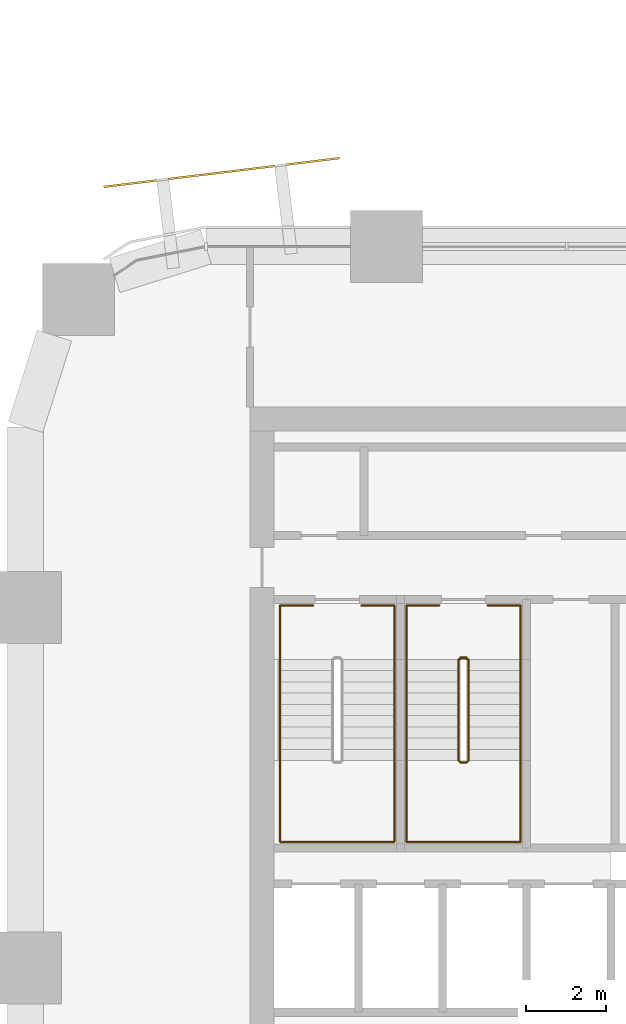
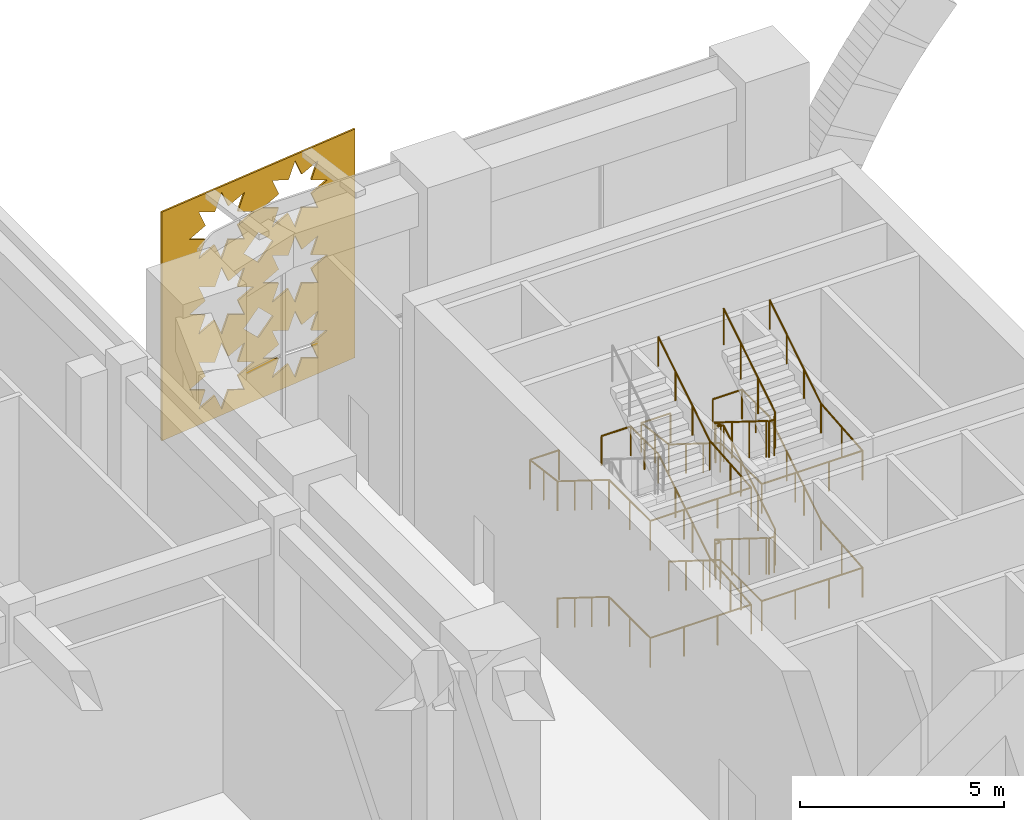
# One storey, part 39 of 42: 5 railings, 1 covering.
"""IFC4 building model written with IfcOpenShell, lengths in metres."""

import ifcopenshell
import ifcopenshell.guid

model = None  # the IFC model being written
_history = None  # IfcOwnerHistory: only IFC2X3 demands one
_inside = {}  # id of a spatial element -> (the spatial element, [elements in it])
_under = {}  # id of a project, library or spatial element -> (it, [spatial elements below it])
_declared = {}  # id of a project -> (the project, [libraries it declares])
_typed = {}  # id of a type object -> (the type object, [elements of that type])
_made_of = {}  # id of a material, layer set ... -> (it, [elements and type objects made of it])


def new_model(schema):
    """Start an empty IFC model of exactly this schema.

    Asked for "IFC4X3", IfcOpenShell would pick the latest addendum, in which some entities
    have other attributes; the version numbers below select the first issue.
    IFC2X3 requires an IfcOwnerHistory on every rooted entity: one is made here for all.
    """
    global model, _history
    if schema == "IFC4X3":
        model = ifcopenshell.file(schema_version=(4, 3, 0, 0))
    else:
        model = ifcopenshell.file(schema=schema)
    _inside.clear()
    _under.clear()
    _declared.clear()
    _typed.clear()
    _made_of.clear()
    _history = None
    if model.schema == "IFC2X3":
        org = make("IfcOrganization", Name="unknown")
        user = make(
            "IfcPersonAndOrganization",
            ThePerson=make("IfcPerson", FamilyName="unknown"),
            TheOrganization=org,
        )
        app = make(
            "IfcApplication",
            ApplicationDeveloper=org,
            Version="unknown",
            ApplicationFullName="unknown",
            ApplicationIdentifier="unknown",
        )
        _history = make(
            "IfcOwnerHistory",
            OwningUser=user,
            OwningApplication=app,
            ChangeAction="ADDED",
            CreationDate=0,
        )
    return model


def make(cls, **values):
    """One entity of the class cls with the attributes given. An attribute that is None is left unset."""
    return model.create_entity(
        cls, **{name: value for name, value in values.items() if value is not None}
    )


def rooted(cls, **values):
    """An entity with a GlobalId (a new one), such as an element, a storey or a relation."""
    return make(cls, GlobalId=ifcopenshell.guid.new(), OwnerHistory=_history, **values)


def si_unit(unit_type, name, prefix=None):
    """IfcSIUnit, for example si_unit("LENGTHUNIT", "METRE", prefix="MILLI")."""
    return make("IfcSIUnit", UnitType=unit_type, Prefix=prefix, Name=name)


def assignment(units):
    """IfcUnitAssignment: the units of a project."""
    return None if units is None else make("IfcUnitAssignment", Units=units)


def point(xyz):
    """IfcCartesianPoint."""
    return None if xyz is None else make("IfcCartesianPoint", Coordinates=xyz)


def direction(xyz):
    """IfcDirection."""
    return None if xyz is None else make("IfcDirection", DirectionRatios=xyz)


def frame(location, z_axis=None, x_axis=None):
    """IfcAxis2Placement3D, a coordinate frame: its origin and axes. An axis left out is left unset."""
    return make(
        "IfcAxis2Placement3D",
        Location=point(location),
        Axis=direction(z_axis),
        RefDirection=direction(x_axis),
    )


def frame_2d(location, x_axis=None):
    """IfcAxis2Placement2D, a coordinate frame in the plane: its origin and x axis."""
    return make(
        "IfcAxis2Placement2D", Location=point(location), RefDirection=direction(x_axis)
    )


def origin():
    """The frame at (0, 0, 0) with its axes left unset."""
    return frame((0.0, 0.0, 0.0))


def origin_2d():
    """The frame at (0, 0) in the plane with its x axis left unset."""
    return frame_2d((0.0, 0.0))


def place(relative_to, where):
    """IfcLocalPlacement: puts the frame where relative to a parent placement (None: the world)."""
    return make(
        "IfcLocalPlacement", PlacementRelTo=relative_to, RelativePlacement=where
    )


def context(
    kind, dimensions, precision=None, world=None, true_north=None, identifier=None
):
    """IfcGeometricRepresentationContext, for example the 3D "Model" context."""
    return make(
        "IfcGeometricRepresentationContext",
        ContextIdentifier=identifier,
        ContextType=kind,
        CoordinateSpaceDimension=dimensions,
        Precision=precision,
        WorldCoordinateSystem=world,
        TrueNorth=true_north,
    )


def subcontext(parent, identifier, kind, view, scale=None):
    """IfcGeometricRepresentationSubContext, for example "Body" below "Model"."""
    return make(
        "IfcGeometricRepresentationSubContext",
        ContextIdentifier=identifier,
        ContextType=kind,
        ParentContext=parent,
        TargetScale=scale,
        TargetView=view,
    )


def project(units=None, contexts=None):
    """IfcProject with its units and contexts."""
    return rooted(
        "IfcProject",
        Name="project",
        RepresentationContexts=contexts,
        UnitsInContext=assignment(units),
    )


def spatial(cls, under=None, at=None, **own):
    """A site, building, storey or space (cls), placed at a placement, below another one or the project."""
    s = rooted(cls, ObjectPlacement=at, **own)
    if under is not None:
        _under.setdefault(under.id(), (under, []))[1].append(s)
    return s


def polyline(points):
    """IfcPolyline through the points."""
    return make("IfcPolyline", Points=[point(p) for p in points])


def profile(cls, at=None, kind="AREA", **sizes):
    """A parametric profile (cls). Its sizes go by their IFC names, for example OverallWidth=200.0."""
    return make(cls, ProfileType=kind, Position=at, **sizes)


def circle(**sizes):
    """IfcCircleProfileDef."""
    return profile("IfcCircleProfileDef", **sizes)


def outline(outer, holes=None, kind="AREA"):
    """IfcArbitraryClosedProfileDef: a profile drawn as a closed curve; with holes, ...WithVoids."""
    if holes is None:
        return make("IfcArbitraryClosedProfileDef", ProfileType=kind, OuterCurve=outer)
    return make(
        "IfcArbitraryProfileDefWithVoids",
        ProfileType=kind,
        OuterCurve=outer,
        InnerCurves=holes,
    )


def extrude(swept, where, along, depth):
    """IfcExtrudedAreaSolid: the profile swept, set in the frame where, extruded along a direction by depth."""
    return make(
        "IfcExtrudedAreaSolid",
        SweptArea=swept,
        Position=where,
        ExtrudedDirection=direction(along),
        Depth=depth,
    )


def shape(context_of_items, identifier, shape_type, items):
    """IfcShapeRepresentation: the items that make up one representation, for example the "Body"."""
    return make(
        "IfcShapeRepresentation",
        ContextOfItems=context_of_items,
        RepresentationIdentifier=identifier,
        RepresentationType=shape_type,
        Items=items,
    )


def material(Name=None, Category=None):
    """IfcMaterial."""
    return make("IfcMaterial", Name=Name, Category=Category)


def layer(
    of_material, thickness, ventilated=None, Name=None, Category=None, Priority=None
):
    """IfcMaterialLayer: one layer of a wall or slab, of a material (None: an air gap)."""
    return make(
        "IfcMaterialLayer",
        Material=of_material,
        LayerThickness=thickness,
        IsVentilated=ventilated,
        Name=Name,
        Category=Category,
        Priority=Priority,
    )


def layer_set(layers, Name=None):
    """IfcMaterialLayerSet."""
    return make("IfcMaterialLayerSet", MaterialLayers=layers, LayerSetName=Name)


def made_of(thing, what):
    """Note that an element or type object is made of a material, layer set ...; save() writes the relation."""
    if what is not None:
        _made_of.setdefault(what.id(), (what, []))[1].append(thing)
    return thing


def type_object(cls, material=None, **own):
    """A type object (cls), such as IfcWallType, which elements share."""
    return made_of(rooted(cls, **own), material)


def element(
    cls,
    number,
    at=None,
    inside=None,
    cuts=None,
    type_object=None,
    material=None,
    context=None,
    identifier="Body",
    shape_type=None,
    held_by="IfcProductDefinitionShape",
    body=None,
    shapes=None,
    **own,
):
    """One element of the class cls, such as IfcWall. Its Tag is "e" and its number.

    at: its placement. inside: the storey or other place that contains it. cuts: it is an
    opening in that element (IfcRelVoidsElement). A single representation is given by context,
    identifier, shape_type and body (its items); several are given by shapes. held_by: the class
    of the entity that holds the representations. save() writes the other relations.
    """
    e = rooted(cls, Tag="e%d" % number, ObjectPlacement=at, **own)
    if body is not None:
        shapes = [shape(context, identifier, shape_type, body)]
    if shapes is not None:
        e.Representation = make(held_by, Representations=shapes)
    if inside is not None:
        _inside.setdefault(inside.id(), (inside, []))[1].append(e)
    if cuts is not None:
        rooted(
            "IfcRelVoidsElement", RelatingBuildingElement=cuts, RelatedOpeningElement=e
        )
    if type_object is not None:
        _typed.setdefault(type_object.id(), (type_object, []))[1].append(e)
    return made_of(e, material)


def aggregate(whole, parts):
    """IfcRelAggregates: a whole, such as a stair, and the parts it consists of."""
    return rooted("IfcRelAggregates", RelatingObject=whole, RelatedObjects=parts)


def save(model, path):
    """Write the relations noted so far, then the file.

    IfcRelAggregates (storeys below a building ...), IfcRelContainedInSpatialStructure (elements
    in a storey), IfcRelDefinesByType, IfcRelAssociatesMaterial and IfcRelDeclares: one each for
    every whole, place, type object, material and project.
    """
    for whole, parts in _under.values():
        aggregate(whole, parts)
    for where, things in _inside.values():
        rooted(
            "IfcRelContainedInSpatialStructure",
            RelatedElements=things,
            RelatingStructure=where,
        )
    for kind, things in _typed.values():
        rooted("IfcRelDefinesByType", RelatedObjects=things, RelatingType=kind)
    for what, things in _made_of.values():
        rooted("IfcRelAssociatesMaterial", RelatedObjects=things, RelatingMaterial=what)
    for by, libraries in _declared.values():
        rooted("IfcRelDeclares", RelatingContext=by, RelatedDefinitions=libraries)
    model.write(path)


model = new_model("IFC4")

# Units and contexts
model_context = context("Model", 3, precision=1e-05, world=origin(), true_north=direction((0.0, 1.0)))
body_context = subcontext(model_context, "Body", "Model", "MODEL_VIEW")
ifc_project = project(units=[si_unit("LENGTHUNIT", "METRE"), si_unit("AREAUNIT", "SQUARE_METRE"), si_unit("VOLUMEUNIT", "CUBIC_METRE"), si_unit("PLANEANGLEUNIT", "RADIAN"), si_unit("MASSUNIT", "GRAM", prefix="KILO")], contexts=[model_context])

# Site, building, storey
site_placement = place(None, origin())
site = spatial("IfcSite", under=ifc_project, at=site_placement, CompositionType="ELEMENT")
building_placement = place(site_placement, origin())
building = spatial("IfcBuilding", under=site, at=building_placement, Name="Tessera Arch", CompositionType="ELEMENT")
storey_placement = place(building_placement, frame((0.0, 0.0, 14.0)))
storey = spatial("IfcBuildingStorey", under=building, at=storey_placement, Name="L02", CompositionType="ELEMENT", Elevation=14.0)

# Covering
ifc_material_1 = material(Name="Anodised aluminium pale metal", Category="aluminium")
ifc_layer = layer(ifc_material_1, 0.050048828125)
ifc_layer_set = layer_set([ifc_layer], Name="Base lattice panel pale metal")
covering_type = type_object("IfcCoveringType", Name="Base lattice panel pale metal", PredefinedType="CLADDING", material=ifc_layer_set)
covering_placement = place(storey_placement, frame((7.833984375, 56.183837890625, 7.0), z_axis=(0.120966249049, -0.992656620686, 0.0), x_axis=(-0.992656620686, -0.120966249049, 0.0)))
element("IfcCovering", 1, at=covering_placement, inside=storey, type_object=covering_type, Name="Base lattice panel N54.0/1 L02", PredefinedType="CLADDING", context=body_context, shape_type="SweptSolid", body=[
    extrude(outline(polyline([(0.0, 0.0), (5.925593962252626, 0.0), (5.925593962252626, 6.840087890625), (0.0, 6.840087890625), (0.0, 0.0)]), holes=[polyline([(2.828132860395926, 5.669921875), (2.336987823767969, 5.462890625), (2.53815207532478, 4.969970703125), (2.0440693322277617, 5.1708984375), (1.8379695261883193, 4.679931640625), (1.6311131439498763, 5.1708984375), (1.1379997920839962, 4.969970703125), (1.3391640436408068, 5.462890625), (0.84801900701285, 5.669921875), (1.3391640436408068, 5.876953125), (1.1379997920839962, 6.3701171875), (1.6311131439498763, 6.1689453125), (1.8379695261883193, 6.659912109375), (2.0440693322277617, 6.1689453125), (2.53815207532478, 6.3701171875), (2.336987823767969, 5.876953125), (2.828132860395926, 5.669921875)]), polyline([(2.828132860395926, 3.419921875), (2.336987823767969, 3.212890625), (2.53815207532478, 2.719970703125), (2.0440693322277617, 2.9208984375), (1.8379695261883193, 2.429931640625), (1.6311131439498763, 2.9208984375), (1.1379997920839962, 2.719970703125), (1.3391640436408068, 3.212890625), (0.84801900701285, 3.419921875), (1.3391640436408068, 3.626953125), (1.1379997920839962, 4.1201171875), (1.6311131439498763, 3.9189453125), (1.8379695261883193, 4.409912109375), (2.0440693322277617, 3.9189453125), (2.53815207532478, 4.1201171875), (2.336987823767969, 3.626953125), (2.828132860395926, 3.419921875)]), polyline([(2.828132860395926, 1.169921875), (2.336987823767969, 0.962890625), (2.53815207532478, 0.469970703125), (2.0440693322277617, 0.6708984375), (1.8379695261883193, 0.179931640625), (1.6311131439498763, 0.6708984375), (1.1379997920839962, 0.469970703125), (1.3391640436408068, 0.962890625), (0.84801900701285, 1.169921875), (1.3391640436408068, 1.376953125), (1.1379997920839962, 1.8701171875), (1.6311131439498763, 1.6689453125), (1.8379695261883193, 2.159912109375), (2.0440693322277617, 1.6689453125), (2.53815207532478, 1.8701171875), (2.336987823767969, 1.376953125), (2.828132860395926, 1.169921875)]), polyline([(5.078059650855345, 5.669921875), (4.5871569620351735, 5.462890625), (4.7880788657841995, 4.969970703125), (4.294208937719319, 5.1708984375), (4.088109131679876, 4.679931640625), (3.8810399344092956, 5.1708984375), (3.3881393975755536, 4.969970703125), (3.5890908341002263, 5.462890625), (3.0979457974722693, 5.669921875), (3.5890908341002263, 5.876953125), (3.3881393975755536, 6.3701171875), (3.8810399344092956, 6.1689453125), (4.088109131679876, 6.659912109375), (4.294208937719319, 6.1689453125), (4.7880788657841995, 6.3701171875), (4.5871569620351735, 5.876953125), (5.078059650855345, 5.669921875)]), polyline([(5.078059650855345, 3.419921875), (4.5871569620351735, 3.212890625), (4.7880788657841995, 2.719970703125), (4.294208937719319, 2.9208984375), (4.088109131679876, 2.429931640625), (3.8810399344092956, 2.9208984375), (3.3881393975755536, 2.719970703125), (3.5890908341002263, 3.212890625), (3.0979457974722693, 3.419921875), (3.5890908341002263, 3.626953125), (3.3881393975755536, 4.1201171875), (3.8810399344092956, 3.9189453125), (4.088109131679876, 4.409912109375), (4.294208937719319, 3.9189453125), (4.7880788657841995, 4.1201171875), (4.5871569620351735, 3.626953125), (5.078059650855345, 3.419921875)]), polyline([(5.078059650855345, 1.169921875), (4.5871569620351735, 0.962890625), (4.7880788657841995, 0.469970703125), (4.294208937719319, 0.6708984375), (4.088109131679876, 0.179931640625), (3.8810399344092956, 0.6708984375), (3.3881393975755536, 0.469970703125), (3.5890908341002263, 0.962890625), (3.0979457974722693, 1.169921875), (3.5890908341002263, 1.376953125), (3.3881393975755536, 1.8701171875), (3.8810399344092956, 1.6689453125), (4.088109131679876, 2.159912109375), (4.294208937719319, 1.6689453125), (4.7880788657841995, 1.8701171875), (4.5871569620351735, 1.376953125), (5.078059650855345, 1.169921875)]), polyline([(3.4130004522452033, 4.544921875), (2.96316050283799, 4.094970703125), (2.5130782056229926, 4.544921875), (2.96316050283799, 4.9951171875), (3.4130004522452033, 4.544921875)]), polyline([(3.4130004522452033, 2.294921875), (2.96316050283799, 1.844970703125), (2.5130782056229926, 2.294921875), (2.96316050283799, 2.7451171875), (3.4130004522452033, 2.294921875)])]), origin(), (0.0, 0.0, -1.0), 0.050048828125),
])

# Railings
ifc_material_2 = material(Name="Painted steel balustrade", Category="steel")
railing_type_1 = type_object("IfcRailingType", Name="Stair guard 1100", PredefinedType="GUARDRAIL", material=ifc_material_2)
railing_1_placement = place(storey_placement, frame((10.85009765625, 43.75, 0.0)))
element("IfcRailing", 2, at=railing_1_placement, inside=storey, type_object=railing_type_1, Name="L02 S2b stair guard 1", PredefinedType="GUARDRAIL", context=body_context, shape_type="SweptSolid", body=[
    extrude(circle(Radius=0.02392578125, at=origin_2d()), frame((-0.00390625, 0.0, 1.076171875), z_axis=(1.0, 0.0, 0.0), x_axis=(0.0, 1.0, 0.0)), (0.0, 0.0, 1.0), 0.157958984375),
    extrude(circle(Radius=0.02392578125, at=origin_2d()), frame((0.15283203125, 0.000732421875, 1.073486328125), z_axis=(-0.739407315901, -0.185077533284, 0.647319957877), x_axis=(0.242814311512, -0.970072785993, 0.0)), (0.0, 0.0, 1.0), 0.2783203125),
    extrude(circle(Radius=0.02392578125, at=origin_2d()), frame((-0.050048828125, -0.046630859375, 1.2490234375), z_axis=(0.0, -0.848007534815, 0.529984170421), x_axis=(1.0, 0.0, 0.0)), (0.0, 0.0, 1.0), 2.979736328125),
    extrude(circle(Radius=0.02392578125, at=origin_2d()), frame((-0.052978515625, -2.567138671875, 2.826171875), z_axis=(0.707106781187, -0.707106781187, 0.0), x_axis=(0.707106781187, 0.707106781187, 0.0)), (0.0, 0.0, 1.0), 0.078857421875),
    extrude(circle(Radius=0.02392578125, at=origin_2d()), frame((-0.00390625, -2.6201171875, 2.826171875), z_axis=(1.0, 0.0, 0.0), x_axis=(0.0, 1.0, 0.0)), (0.0, 0.0, 1.0), 0.157958984375),
    extrude(circle(Radius=0.02392578125, at=origin_2d()), frame((0.14892578125, -2.62109375, 2.822265625), z_axis=(0.265065253269, 0.265065253269, 0.927081885822), x_axis=(-0.707106781187, 0.707106781187, 0.0)), (0.0, 0.0, 1.0), 0.19677734375),
    extrude(circle(Radius=0.02392578125, at=origin_2d()), frame((0.199951171875, -2.573486328125, 2.9990234375), z_axis=(0.0, 0.848007534815, 0.529984170421), x_axis=(-1.0, 0.0, 0.0)), (0.0, 0.0, 1.0), 2.979736328125),
    extrude(circle(Radius=0.02392578125, at=origin_2d()), frame((0.203857421875, -0.051025390625, 4.576171875), z_axis=(-0.970072785993, 0.242814311512, 0.0), x_axis=(-0.242814311512, -0.970072785993, 0.0)), (0.0, 0.0, 1.0), 0.214111328125),
    extrude(circle(Radius=0.02392578125, at=origin_2d()), frame((-0.00390625, 0.0, 4.576171875), z_axis=(1.0, 0.0, 0.0), x_axis=(0.0, 1.0, 0.0)), (0.0, 0.0, 1.0), 0.157958984375),
    extrude(circle(Radius=0.02392578125, at=origin_2d()), frame((0.15283203125, 0.000732421875, 4.573486328125), z_axis=(-0.739407315901, -0.185077533284, 0.647319957877), x_axis=(0.242814311512, -0.970072785993, 0.0)), (0.0, 0.0, 1.0), 0.2783203125),
    extrude(circle(Radius=0.02392578125, at=origin_2d()), frame((-0.050048828125, -0.046630859375, 4.7490234375), z_axis=(0.0, -0.848007534815, 0.529984170421), x_axis=(1.0, 0.0, 0.0)), (0.0, 0.0, 1.0), 2.979736328125),
    extrude(circle(Radius=0.02392578125, at=origin_2d()), frame((-0.052978515625, -2.567138671875, 6.326171875), z_axis=(0.707106781187, -0.707106781187, 0.0), x_axis=(0.707106781187, 0.707106781187, 0.0)), (0.0, 0.0, 1.0), 0.078857421875),
    extrude(circle(Radius=0.02392578125, at=origin_2d()), frame((-0.00390625, -2.6201171875, 6.326171875), z_axis=(1.0, 0.0, 0.0), x_axis=(0.0, 1.0, 0.0)), (0.0, 0.0, 1.0), 0.157958984375),
    extrude(circle(Radius=0.02392578125, at=origin_2d()), frame((0.14892578125, -2.62109375, 6.322265625), z_axis=(0.265065253269, 0.265065253269, 0.927081885822), x_axis=(-0.707106781187, 0.707106781187, 0.0)), (0.0, 0.0, 1.0), 0.19677734375),
    extrude(circle(Radius=0.02392578125, at=origin_2d()), frame((0.199951171875, -2.573486328125, 6.4990234375), z_axis=(0.0, 0.848007534815, 0.529984170421), x_axis=(-1.0, 0.0, 0.0)), (0.0, 0.0, 1.0), 2.979736328125),
    extrude(circle(Radius=0.02099609375, at=origin_2d()), origin(), (0.0, 0.0, 1.0), 1.06396484375),
    extrude(circle(Radius=0.02099609375, at=origin_2d()), frame((0.14990234375, 0.0, 0.0)), (0.0, 0.0, 1.0), 1.06396484375),
    extrude(circle(Radius=0.02099609375, at=origin_2d()), frame((-0.050048828125, -0.050048828125, 0.175048828125)), (0.0, 0.0, 1.0), 1.06396484375),
    extrude(circle(Radius=0.02099609375, at=origin_2d()), frame((-0.050048828125, -0.89013671875, 0.699951171875)), (0.0, 0.0, 1.0), 1.06396484375),
    extrude(circle(Radius=0.02099609375, at=origin_2d()), frame((-0.050048828125, -1.72998046875, 1.22509765625)), (0.0, 0.0, 1.0), 1.06396484375),
    extrude(circle(Radius=0.02099609375, at=origin_2d()), frame((-0.050048828125, -2.570068359375, 1.75)), (0.0, 0.0, 1.0), 1.06396484375),
    extrude(circle(Radius=0.02099609375, at=origin_2d()), frame((0.0, -2.6201171875, 1.75)), (0.0, 0.0, 1.0), 1.06396484375),
    extrude(circle(Radius=0.02099609375, at=origin_2d()), frame((0.14990234375, -2.6201171875, 1.75)), (0.0, 0.0, 1.0), 1.06396484375),
    extrude(circle(Radius=0.02099609375, at=origin_2d()), frame((0.199951171875, -2.570068359375, 1.925048828125)), (0.0, 0.0, 1.0), 1.06396484375),
    extrude(circle(Radius=0.02099609375, at=origin_2d()), frame((0.199951171875, -1.72998046875, 2.449951171875)), (0.0, 0.0, 1.0), 1.06396484375),
    extrude(circle(Radius=0.02099609375, at=origin_2d()), frame((0.199951171875, -0.89013671875, 2.97509765625)), (0.0, 0.0, 1.0), 1.06396484375),
    extrude(circle(Radius=0.02099609375, at=origin_2d()), frame((0.199951171875, -0.050048828125, 3.5)), (0.0, 0.0, 1.0), 1.06396484375),
    extrude(circle(Radius=0.02099609375, at=origin_2d()), frame((0.0, 0.0, 3.5)), (0.0, 0.0, 1.0), 1.06396484375),
    extrude(circle(Radius=0.02099609375, at=origin_2d()), frame((0.14990234375, 0.0, 3.5)), (0.0, 0.0, 1.0), 1.06396484375),
    extrude(circle(Radius=0.02099609375, at=origin_2d()), frame((-0.050048828125, -0.050048828125, 3.675048828125)), (0.0, 0.0, 1.0), 1.06396484375),
    extrude(circle(Radius=0.02099609375, at=origin_2d()), frame((-0.050048828125, -0.89013671875, 4.199951171875)), (0.0, 0.0, 1.0), 1.06396484375),
    extrude(circle(Radius=0.02099609375, at=origin_2d()), frame((-0.050048828125, -1.72998046875, 4.72509765625)), (0.0, 0.0, 1.0), 1.06396484375),
    extrude(circle(Radius=0.02099609375, at=origin_2d()), frame((-0.050048828125, -2.570068359375, 5.25)), (0.0, 0.0, 1.0), 1.06396484375),
    extrude(circle(Radius=0.02099609375, at=origin_2d()), frame((0.0, -2.6201171875, 5.25)), (0.0, 0.0, 1.0), 1.06396484375),
    extrude(circle(Radius=0.02099609375, at=origin_2d()), frame((0.14990234375, -2.6201171875, 5.25)), (0.0, 0.0, 1.0), 1.06396484375),
    extrude(circle(Radius=0.02099609375, at=origin_2d()), frame((0.199951171875, -2.570068359375, 5.425048828125)), (0.0, 0.0, 1.0), 1.06396484375),
    extrude(circle(Radius=0.02099609375, at=origin_2d()), frame((0.199951171875, -1.72998046875, 5.949951171875)), (0.0, 0.0, 1.0), 1.06396484375),
    extrude(circle(Radius=0.02099609375, at=origin_2d()), frame((0.199951171875, -0.89013671875, 6.47509765625)), (0.0, 0.0, 1.0), 1.06396484375),
    extrude(circle(Radius=0.02099609375, at=origin_2d()), frame((0.199951171875, -0.050048828125, 7.0)), (0.0, 0.0, 1.0), 1.06396484375),
])
ifc_material_3 = material(Name="Painted steel handrail", Category="steel")
railing_type_2 = type_object("IfcRailingType", Name="Stair handrail 900", PredefinedType="HANDRAIL", material=ifc_material_3)
railing_2_placement = place(storey_placement, frame((6.35009765625, 43.699951171875, 0.175048828125)))
element("IfcRailing", 3, at=railing_2_placement, inside=storey, type_object=railing_type_2, Name="L02 S2a stair handrail", PredefinedType="HANDRAIL", context=body_context, shape_type="SweptSolid", body=[
    extrude(circle(Radius=0.02392578125, at=origin_2d()), frame((0.0, 0.00341796875, 0.873779296875), z_axis=(0.0, -0.848007534815, 0.529984170421), x_axis=(1.0, 0.0, 0.0)), (0.0, 0.0, 1.0), 2.979736328125),
    extrude(circle(Radius=0.02392578125, at=origin_2d()), frame((0.0, -2.51611328125, 2.45068359375), z_axis=(0.0, -1.0, 0.0), x_axis=(1.0, 0.0, 0.0)), (0.0, 0.0, 1.0), 2.0380859375),
    extrude(circle(Radius=0.02392578125, at=origin_2d()), frame((-0.00390625, -4.550048828125, 2.45068359375), z_axis=(1.0, 0.0, 0.0), x_axis=(0.0, 1.0, 0.0)), (0.0, 0.0, 1.0), 2.85791015625),
    extrude(circle(Radius=0.02392578125, at=origin_2d()), frame((2.849853515625, -4.553955078125, 2.450439453125), z_axis=(0.0, 0.996302824165, 0.085910898969), x_axis=(-1.0, 0.0, 0.0)), (0.0, 0.0, 1.0), 2.045654296875),
    extrude(circle(Radius=0.02392578125, at=origin_2d()), frame((2.849853515625, -2.5234375, 2.623779296875), z_axis=(0.0, 0.848007534815, 0.529984170421), x_axis=(-1.0, 0.0, 0.0)), (0.0, 0.0, 1.0), 2.979736328125),
    extrude(circle(Radius=0.02392578125, at=origin_2d()), frame((2.849853515625, -0.00390625, 4.20068359375), z_axis=(0.0, 1.0, 0.0), x_axis=(-1.0, 0.0, 0.0)), (0.0, 0.0, 1.0), 1.358154296875),
    extrude(circle(Radius=0.02392578125, at=origin_2d()), frame((2.853759765625, 1.35009765625, 4.20068359375), z_axis=(-1.0, 0.0, 0.0), x_axis=(0.0, -1.0, 0.0)), (0.0, 0.0, 1.0), 0.8330078125),
    extrude(circle(Radius=0.02099609375, at=origin_2d()), origin(), (0.0, 0.0, 1.0), 0.86376953125),
    extrude(circle(Radius=0.02099609375, at=origin_2d()), frame((0.0, -0.840087890625, 0.52490234375)), (0.0, 0.0, 1.0), 0.86376953125),
    extrude(circle(Radius=0.02099609375, at=origin_2d()), frame((0.0, -1.679931640625, 1.050048828125)), (0.0, 0.0, 1.0), 0.86376953125),
    extrude(circle(Radius=0.02099609375, at=origin_2d()), frame((0.0, -2.52001953125, 1.574951171875)), (0.0, 0.0, 1.0), 0.86376953125),
    extrude(circle(Radius=0.02099609375, at=origin_2d()), frame((0.0, -3.53515625, 1.574951171875)), (0.0, 0.0, 1.0), 0.86376953125),
    extrude(circle(Radius=0.02099609375, at=origin_2d()), frame((0.0, -4.550048828125, 1.574951171875)), (0.0, 0.0, 1.0), 0.86376953125),
    extrude(circle(Radius=0.02099609375, at=origin_2d()), frame((0.949951171875, -4.550048828125, 1.574951171875)), (0.0, 0.0, 1.0), 0.86376953125),
    extrude(circle(Radius=0.02099609375, at=origin_2d()), frame((1.89990234375, -4.550048828125, 1.574951171875)), (0.0, 0.0, 1.0), 0.86376953125),
    extrude(circle(Radius=0.02099609375, at=origin_2d()), frame((2.849853515625, -4.550048828125, 1.574951171875)), (0.0, 0.0, 1.0), 0.86376953125),
    extrude(circle(Radius=0.02099609375, at=origin_2d()), frame((2.849853515625, -3.53515625, 1.66259765625)), (0.0, 0.0, 1.0), 0.86376953125),
    extrude(circle(Radius=0.02099609375, at=origin_2d()), frame((2.849853515625, -2.52001953125, 1.75)), (0.0, 0.0, 1.0), 0.86376953125),
    extrude(circle(Radius=0.02099609375, at=origin_2d()), frame((2.849853515625, -1.679931640625, 2.27490234375)), (0.0, 0.0, 1.0), 0.86376953125),
    extrude(circle(Radius=0.02099609375, at=origin_2d()), frame((2.849853515625, -0.840087890625, 2.800048828125)), (0.0, 0.0, 1.0), 0.86376953125),
    extrude(circle(Radius=0.02099609375, at=origin_2d()), frame((2.849853515625, 0.0, 3.324951171875)), (0.0, 0.0, 1.0), 0.86376953125),
    extrude(circle(Radius=0.02099609375, at=origin_2d()), frame((2.849853515625, 0.675048828125, 3.324951171875)), (0.0, 0.0, 1.0), 0.86376953125),
    extrude(circle(Radius=0.02099609375, at=origin_2d()), frame((2.849853515625, 1.35009765625, 3.324951171875)), (0.0, 0.0, 1.0), 0.86376953125),
    extrude(circle(Radius=0.02099609375, at=origin_2d()), frame((2.02490234375, 1.35009765625, 3.324951171875)), (0.0, 0.0, 1.0), 0.86376953125),
])
railing_3_placement = place(storey_placement, frame((7.175048828125, 45.050048828125, 3.5)))
element("IfcRailing", 4, at=railing_3_placement, inside=storey, type_object=railing_type_2, Name="L02 S2a stair handrail 2", PredefinedType="HANDRAIL", context=body_context, shape_type="SweptSolid", body=[
    extrude(circle(Radius=0.02392578125, at=origin_2d()), frame((0.00390625, 0.0, 0.8759765625), z_axis=(-1.0, 0.0, 0.0), x_axis=(0.0, -1.0, 0.0)), (0.0, 0.0, 1.0), 0.8330078125),
    extrude(circle(Radius=0.02392578125, at=origin_2d()), frame((-0.824951171875, 0.00390625, 0.875244140625), z_axis=(0.0, -0.991699119295, 0.128580157059), x_axis=(1.0, 0.0, 0.0)), (0.0, 0.0, 1.0), 1.369384765625),
    extrude(circle(Radius=0.02392578125, at=origin_2d()), frame((-0.824951171875, -1.3466796875, 1.048828125), z_axis=(0.0, -0.848007534815, 0.529984170421), x_axis=(1.0, 0.0, 0.0)), (0.0, 0.0, 1.0), 2.979736328125),
    extrude(circle(Radius=0.02392578125, at=origin_2d()), frame((-0.824951171875, -3.8662109375, 2.6259765625), z_axis=(0.0, -1.0, 0.0), x_axis=(1.0, 0.0, 0.0)), (0.0, 0.0, 1.0), 2.0380859375),
    extrude(circle(Radius=0.02392578125, at=origin_2d()), frame((-0.828857421875, -5.900146484375, 2.6259765625), z_axis=(1.0, 0.0, 0.0), x_axis=(0.0, 1.0, 0.0)), (0.0, 0.0, 1.0), 2.85791015625),
    extrude(circle(Radius=0.02392578125, at=origin_2d()), frame((2.02490234375, -5.904052734375, 2.62548828125), z_axis=(0.0, 0.996302824165, 0.085910898969), x_axis=(-1.0, 0.0, 0.0)), (0.0, 0.0, 1.0), 2.045654296875),
    extrude(circle(Radius=0.02392578125, at=origin_2d()), frame((2.02490234375, -3.87353515625, 2.798828125), z_axis=(0.0, 0.848007534815, 0.529984170421), x_axis=(-1.0, 0.0, 0.0)), (0.0, 0.0, 1.0), 2.979736328125),
    extrude(circle(Radius=0.02099609375, at=origin_2d()), origin(), (0.0, 0.0, 1.0), 0.86376953125),
    extrude(circle(Radius=0.02099609375, at=origin_2d()), frame((-0.824951171875, 0.0, 0.0)), (0.0, 0.0, 1.0), 0.86376953125),
    extrude(circle(Radius=0.02099609375, at=origin_2d()), frame((-0.824951171875, -0.675048828125, 0.08740234375)), (0.0, 0.0, 1.0), 0.86376953125),
    extrude(circle(Radius=0.02099609375, at=origin_2d()), frame((-0.824951171875, -1.35009765625, 0.175048828125)), (0.0, 0.0, 1.0), 0.86376953125),
    extrude(circle(Radius=0.02099609375, at=origin_2d()), frame((-0.824951171875, -2.190185546875, 0.699951171875)), (0.0, 0.0, 1.0), 0.86376953125),
    extrude(circle(Radius=0.02099609375, at=origin_2d()), frame((-0.824951171875, -3.030029296875, 1.22509765625)), (0.0, 0.0, 1.0), 0.86376953125),
    extrude(circle(Radius=0.02099609375, at=origin_2d()), frame((-0.824951171875, -3.8701171875, 1.75)), (0.0, 0.0, 1.0), 0.86376953125),
    extrude(circle(Radius=0.02099609375, at=origin_2d()), frame((-0.824951171875, -4.88525390625, 1.75)), (0.0, 0.0, 1.0), 0.86376953125),
    extrude(circle(Radius=0.02099609375, at=origin_2d()), frame((-0.824951171875, -5.900146484375, 1.75)), (0.0, 0.0, 1.0), 0.86376953125),
    extrude(circle(Radius=0.02099609375, at=origin_2d()), frame((0.125, -5.900146484375, 1.75)), (0.0, 0.0, 1.0), 0.86376953125),
    extrude(circle(Radius=0.02099609375, at=origin_2d()), frame((1.074951171875, -5.900146484375, 1.75)), (0.0, 0.0, 1.0), 0.86376953125),
    extrude(circle(Radius=0.02099609375, at=origin_2d()), frame((2.02490234375, -5.900146484375, 1.75)), (0.0, 0.0, 1.0), 0.86376953125),
    extrude(circle(Radius=0.02099609375, at=origin_2d()), frame((2.02490234375, -4.88525390625, 1.83740234375)), (0.0, 0.0, 1.0), 0.86376953125),
    extrude(circle(Radius=0.02099609375, at=origin_2d()), frame((2.02490234375, -3.8701171875, 1.925048828125)), (0.0, 0.0, 1.0), 0.86376953125),
    extrude(circle(Radius=0.02099609375, at=origin_2d()), frame((2.02490234375, -3.030029296875, 2.449951171875)), (0.0, 0.0, 1.0), 0.86376953125),
    extrude(circle(Radius=0.02099609375, at=origin_2d()), frame((2.02490234375, -2.190185546875, 2.97509765625)), (0.0, 0.0, 1.0), 0.86376953125),
    extrude(circle(Radius=0.02099609375, at=origin_2d()), frame((2.02490234375, -1.35009765625, 3.5)), (0.0, 0.0, 1.0), 0.86376953125),
])
railing_4_placement = place(storey_placement, frame((9.5, 43.699951171875, 0.175048828125)))
element("IfcRailing", 5, at=railing_4_placement, inside=storey, type_object=railing_type_2, Name="L02 S2b stair handrail", PredefinedType="HANDRAIL", context=body_context, shape_type="SweptSolid", body=[
    extrude(circle(Radius=0.02392578125, at=origin_2d()), frame((0.0, 0.00341796875, 0.873779296875), z_axis=(0.0, -0.848007534815, 0.529984170421), x_axis=(1.0, 0.0, 0.0)), (0.0, 0.0, 1.0), 2.979736328125),
    extrude(circle(Radius=0.02392578125, at=origin_2d()), frame((0.0, -2.51611328125, 2.45068359375), z_axis=(0.0, -1.0, 0.0), x_axis=(1.0, 0.0, 0.0)), (0.0, 0.0, 1.0), 2.0380859375),
    extrude(circle(Radius=0.02392578125, at=origin_2d()), frame((-0.00390625, -4.550048828125, 2.45068359375), z_axis=(1.0, 0.0, 0.0), x_axis=(0.0, 1.0, 0.0)), (0.0, 0.0, 1.0), 2.858154296875),
    extrude(circle(Radius=0.02392578125, at=origin_2d()), frame((2.85009765625, -4.553955078125, 2.450439453125), z_axis=(0.0, 0.996302824165, 0.085910898969), x_axis=(-1.0, 0.0, 0.0)), (0.0, 0.0, 1.0), 2.045654296875),
    extrude(circle(Radius=0.02392578125, at=origin_2d()), frame((2.85009765625, -2.5234375, 2.623779296875), z_axis=(0.0, 0.848007534815, 0.529984170421), x_axis=(-1.0, 0.0, 0.0)), (0.0, 0.0, 1.0), 2.979736328125),
    extrude(circle(Radius=0.02392578125, at=origin_2d()), frame((2.85009765625, -0.00390625, 4.20068359375), z_axis=(0.0, 1.0, 0.0), x_axis=(-1.0, 0.0, 0.0)), (0.0, 0.0, 1.0), 1.358154296875),
    extrude(circle(Radius=0.02392578125, at=origin_2d()), frame((2.85400390625, 1.35009765625, 4.20068359375), z_axis=(-1.0, 0.0, 0.0), x_axis=(0.0, -1.0, 0.0)), (0.0, 0.0, 1.0), 0.833251953125),
    extrude(circle(Radius=0.02099609375, at=origin_2d()), origin(), (0.0, 0.0, 1.0), 0.86376953125),
    extrude(circle(Radius=0.02099609375, at=origin_2d()), frame((0.0, -0.840087890625, 0.52490234375)), (0.0, 0.0, 1.0), 0.86376953125),
    extrude(circle(Radius=0.02099609375, at=origin_2d()), frame((0.0, -1.679931640625, 1.050048828125)), (0.0, 0.0, 1.0), 0.86376953125),
    extrude(circle(Radius=0.02099609375, at=origin_2d()), frame((0.0, -2.52001953125, 1.574951171875)), (0.0, 0.0, 1.0), 0.86376953125),
    extrude(circle(Radius=0.02099609375, at=origin_2d()), frame((0.0, -3.53515625, 1.574951171875)), (0.0, 0.0, 1.0), 0.86376953125),
    extrude(circle(Radius=0.02099609375, at=origin_2d()), frame((0.0, -4.550048828125, 1.574951171875)), (0.0, 0.0, 1.0), 0.86376953125),
    extrude(circle(Radius=0.02099609375, at=origin_2d()), frame((0.949951171875, -4.550048828125, 1.574951171875)), (0.0, 0.0, 1.0), 0.86376953125),
    extrude(circle(Radius=0.02099609375, at=origin_2d()), frame((1.900146484375, -4.550048828125, 1.574951171875)), (0.0, 0.0, 1.0), 0.86376953125),
    extrude(circle(Radius=0.02099609375, at=origin_2d()), frame((2.85009765625, -4.550048828125, 1.574951171875)), (0.0, 0.0, 1.0), 0.86376953125),
    extrude(circle(Radius=0.02099609375, at=origin_2d()), frame((2.85009765625, -3.53515625, 1.66259765625)), (0.0, 0.0, 1.0), 0.86376953125),
    extrude(circle(Radius=0.02099609375, at=origin_2d()), frame((2.85009765625, -2.52001953125, 1.75)), (0.0, 0.0, 1.0), 0.86376953125),
    extrude(circle(Radius=0.02099609375, at=origin_2d()), frame((2.85009765625, -1.679931640625, 2.27490234375)), (0.0, 0.0, 1.0), 0.86376953125),
    extrude(circle(Radius=0.02099609375, at=origin_2d()), frame((2.85009765625, -0.840087890625, 2.800048828125)), (0.0, 0.0, 1.0), 0.86376953125),
    extrude(circle(Radius=0.02099609375, at=origin_2d()), frame((2.85009765625, 0.0, 3.324951171875)), (0.0, 0.0, 1.0), 0.86376953125),
    extrude(circle(Radius=0.02099609375, at=origin_2d()), frame((2.85009765625, 0.675048828125, 3.324951171875)), (0.0, 0.0, 1.0), 0.86376953125),
    extrude(circle(Radius=0.02099609375, at=origin_2d()), frame((2.85009765625, 1.35009765625, 3.324951171875)), (0.0, 0.0, 1.0), 0.86376953125),
    extrude(circle(Radius=0.02099609375, at=origin_2d()), frame((2.02490234375, 1.35009765625, 3.324951171875)), (0.0, 0.0, 1.0), 0.86376953125),
])
railing_5_placement = place(storey_placement, frame((10.324951171875, 45.050048828125, 3.5)))
element("IfcRailing", 6, at=railing_5_placement, inside=storey, type_object=railing_type_2, Name="L02 S2b stair handrail 2", PredefinedType="HANDRAIL", context=body_context, shape_type="SweptSolid", body=[
    extrude(circle(Radius=0.02392578125, at=origin_2d()), frame((0.00390625, 0.0, 0.8759765625), z_axis=(-1.0, 0.0, 0.0), x_axis=(0.0, -1.0, 0.0)), (0.0, 0.0, 1.0), 0.8330078125),
    extrude(circle(Radius=0.02392578125, at=origin_2d()), frame((-0.824951171875, 0.00390625, 0.875244140625), z_axis=(0.0, -0.991699119295, 0.128580157059), x_axis=(1.0, 0.0, 0.0)), (0.0, 0.0, 1.0), 1.369384765625),
    extrude(circle(Radius=0.02392578125, at=origin_2d()), frame((-0.824951171875, -1.3466796875, 1.048828125), z_axis=(0.0, -0.848007534815, 0.529984170421), x_axis=(1.0, 0.0, 0.0)), (0.0, 0.0, 1.0), 2.979736328125),
    extrude(circle(Radius=0.02392578125, at=origin_2d()), frame((-0.824951171875, -3.8662109375, 2.6259765625), z_axis=(0.0, -1.0, 0.0), x_axis=(1.0, 0.0, 0.0)), (0.0, 0.0, 1.0), 2.0380859375),
    extrude(circle(Radius=0.02392578125, at=origin_2d()), frame((-0.828857421875, -5.900146484375, 2.6259765625), z_axis=(1.0, 0.0, 0.0), x_axis=(0.0, 1.0, 0.0)), (0.0, 0.0, 1.0), 2.858154296875),
    extrude(circle(Radius=0.02392578125, at=origin_2d()), frame((2.025146484375, -5.904052734375, 2.62548828125), z_axis=(0.0, 0.996302824165, 0.085910898969), x_axis=(-1.0, 0.0, 0.0)), (0.0, 0.0, 1.0), 2.045654296875),
    extrude(circle(Radius=0.02392578125, at=origin_2d()), frame((2.025146484375, -3.87353515625, 2.798828125), z_axis=(0.0, 0.848007534815, 0.529984170421), x_axis=(-1.0, 0.0, 0.0)), (0.0, 0.0, 1.0), 2.979736328125),
    extrude(circle(Radius=0.02099609375, at=origin_2d()), origin(), (0.0, 0.0, 1.0), 0.86376953125),
    extrude(circle(Radius=0.02099609375, at=origin_2d()), frame((-0.824951171875, 0.0, 0.0)), (0.0, 0.0, 1.0), 0.86376953125),
    extrude(circle(Radius=0.02099609375, at=origin_2d()), frame((-0.824951171875, -0.675048828125, 0.08740234375)), (0.0, 0.0, 1.0), 0.86376953125),
    extrude(circle(Radius=0.02099609375, at=origin_2d()), frame((-0.824951171875, -1.35009765625, 0.175048828125)), (0.0, 0.0, 1.0), 0.86376953125),
    extrude(circle(Radius=0.02099609375, at=origin_2d()), frame((-0.824951171875, -2.190185546875, 0.699951171875)), (0.0, 0.0, 1.0), 0.86376953125),
    extrude(circle(Radius=0.02099609375, at=origin_2d()), frame((-0.824951171875, -3.030029296875, 1.22509765625)), (0.0, 0.0, 1.0), 0.86376953125),
    extrude(circle(Radius=0.02099609375, at=origin_2d()), frame((-0.824951171875, -3.8701171875, 1.75)), (0.0, 0.0, 1.0), 0.86376953125),
    extrude(circle(Radius=0.02099609375, at=origin_2d()), frame((-0.824951171875, -4.88525390625, 1.75)), (0.0, 0.0, 1.0), 0.86376953125),
    extrude(circle(Radius=0.02099609375, at=origin_2d()), frame((-0.824951171875, -5.900146484375, 1.75)), (0.0, 0.0, 1.0), 0.86376953125),
    extrude(circle(Radius=0.02099609375, at=origin_2d()), frame((0.125, -5.900146484375, 1.75)), (0.0, 0.0, 1.0), 0.86376953125),
    extrude(circle(Radius=0.02099609375, at=origin_2d()), frame((1.0751953125, -5.900146484375, 1.75)), (0.0, 0.0, 1.0), 0.86376953125),
    extrude(circle(Radius=0.02099609375, at=origin_2d()), frame((2.025146484375, -5.900146484375, 1.75)), (0.0, 0.0, 1.0), 0.86376953125),
    extrude(circle(Radius=0.02099609375, at=origin_2d()), frame((2.025146484375, -4.88525390625, 1.83740234375)), (0.0, 0.0, 1.0), 0.86376953125),
    extrude(circle(Radius=0.02099609375, at=origin_2d()), frame((2.025146484375, -3.8701171875, 1.925048828125)), (0.0, 0.0, 1.0), 0.86376953125),
    extrude(circle(Radius=0.02099609375, at=origin_2d()), frame((2.025146484375, -3.030029296875, 2.449951171875)), (0.0, 0.0, 1.0), 0.86376953125),
    extrude(circle(Radius=0.02099609375, at=origin_2d()), frame((2.025146484375, -2.190185546875, 2.97509765625)), (0.0, 0.0, 1.0), 0.86376953125),
    extrude(circle(Radius=0.02099609375, at=origin_2d()), frame((2.025146484375, -1.35009765625, 3.5)), (0.0, 0.0, 1.0), 0.86376953125),
])

save(model, "model.ifc")
